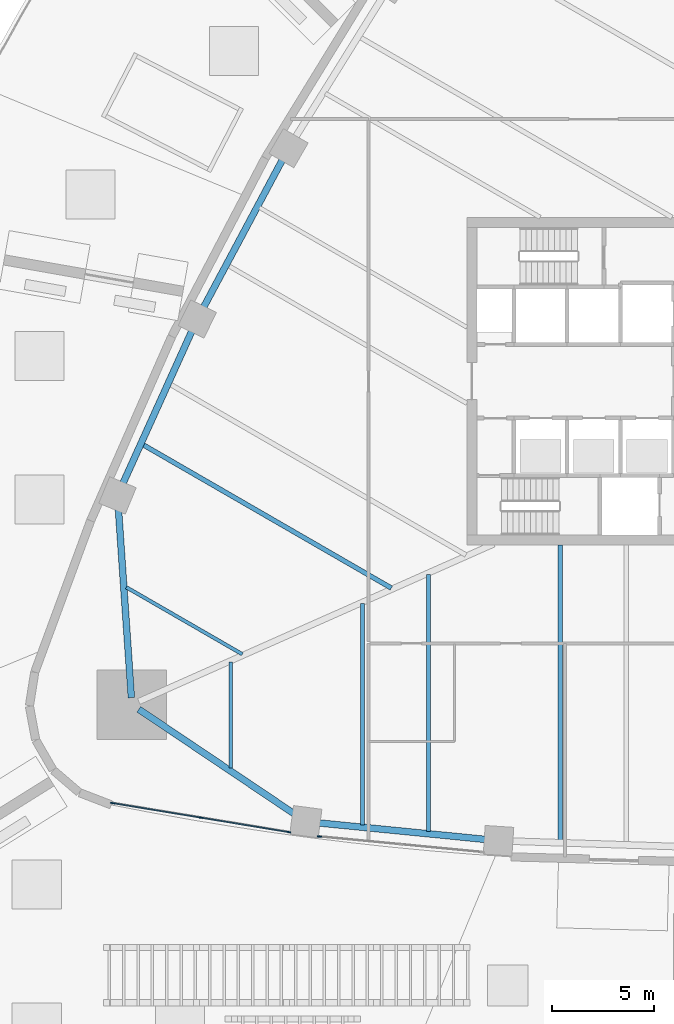
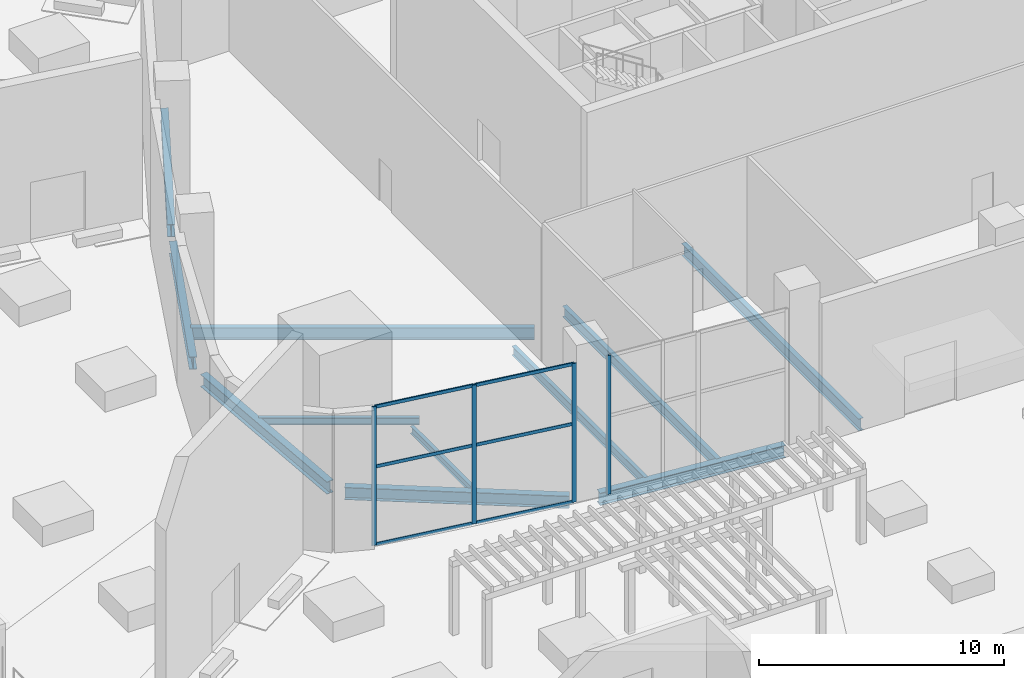
# One storey, part 3 of 20: 11 beams, 10 members, 2 elements without a shape of their own.
"""IFC4 building model written with IfcOpenShell, lengths in metres."""

from ifc_helpers import new_model, si_unit, direction, frame, origin, origin_2d, place, context, subcontext, project, spatial, rectangle, i_section, extrude, material, layer, layer_set, material_profile, profile_set, type_object, element, aggregate, save


model = new_model("IFC4")

# Units and contexts
model_context = context("Model", 3, precision=1e-05, world=origin(), true_north=direction((0.0, 1.0)))
body_context = subcontext(model_context, "Body", "Model", "MODEL_VIEW")
ifc_project = project(units=[si_unit("LENGTHUNIT", "METRE"), si_unit("AREAUNIT", "SQUARE_METRE"), si_unit("VOLUMEUNIT", "CUBIC_METRE"), si_unit("PLANEANGLEUNIT", "RADIAN"), si_unit("MASSUNIT", "GRAM", prefix="KILO")], contexts=[model_context])

# Site, building, storey
site_placement = place(None, origin())
site = spatial("IfcSite", under=ifc_project, at=site_placement, CompositionType="ELEMENT")
building_placement = place(site_placement, origin())
building = spatial("IfcBuilding", under=site, at=building_placement, Name="Sierra Prisma Convention Tower", CompositionType="ELEMENT")
storey_placement = place(building_placement, frame((0.0, 0.0, 9.0)))
storey = spatial("IfcBuildingStorey", under=building, at=storey_placement, Name="L01", CompositionType="ELEMENT", Elevation=9.0)

# Curtain wall, members
ifc_material_1 = material(Name="Aluminium, bronze anodised", Category="aluminium")
ifc_layer = layer(ifc_material_1, 0.199951171875)
ifc_layer_set = layer_set([ifc_layer], Name="CW-3 curtain wall")
curtain_wall_type = type_object("IfcCurtainWallType", Name="CW-3 curtain wall", PredefinedType="NOTDEFINED", material=ifc_layer_set)
curtain_wall_1_placement = place(storey_placement, origin())
curtain_wall_1 = element("IfcCurtainWall", 1, at=curtain_wall_1_placement, inside=storey, type_object=curtain_wall_type, Name="CW-3 curtain wall", PredefinedType="NOTDEFINED")
ifc_material_2 = material(Name="Aluminium, bronze anodised", Category="aluminium")
ifc_material_profile_1 = material_profile(ifc_material_2, rectangle(XDim=0.06005859375, YDim=0.199951171875, at=origin_2d()), Name="CW-3 mullion 60 x 200")
ifc_profile_set_1 = profile_set([ifc_material_profile_1], Name="Aluminium, bronze anodised")
member_type_1 = type_object("IfcMemberType", Name="CW-3 mullion 60 x 200", PredefinedType="MULLION", material=ifc_profile_set_1)
member_1_placement = place(storey_placement, frame((-19.6884765625, -22.019287109375, 0.0), z_axis=(0.0, 0.0, 1.0), x_axis=(-0.162541549863, -0.986701699891, 0.0)))
member_1 = element("IfcMember", 2, at=member_1_placement, type_object=member_type_1, Name="CW-3 mullion 1", PredefinedType="MULLION", context=body_context, shape_type="SweptSolid", body=[
    extrude(rectangle(XDim=0.06005859375, YDim=0.199951171875, at=origin_2d()), origin(), (0.0, 0.0, 1.0), 6.89990234375),
])
member_2_placement = place(storey_placement, frame((-23.9931640625, -21.31005859375, 0.0), z_axis=(0.0, 0.0, 1.0), x_axis=(-0.162541549863, -0.986701699891, 0.0)))
member_2 = element("IfcMember", 3, at=member_2_placement, type_object=member_type_1, Name="CW-3 mullion 2", PredefinedType="MULLION", context=body_context, shape_type="SweptSolid", body=[
    extrude(rectangle(XDim=0.06005859375, YDim=0.199951171875, at=origin_2d()), origin(), (0.0, 0.0, 1.0), 6.89990234375),
])
member_3_placement = place(storey_placement, frame((-28.2978515625, -20.60107421875, 0.0), z_axis=(0.0, 0.0, 1.0), x_axis=(-0.162541549863, -0.986701699891, 0.0)))
member_3 = element("IfcMember", 4, at=member_3_placement, type_object=member_type_1, Name="CW-3 mullion 3", PredefinedType="MULLION", context=body_context, shape_type="SweptSolid", body=[
    extrude(rectangle(XDim=0.06005859375, YDim=0.199951171875, at=origin_2d()), origin(), (0.0, 0.0, 1.0), 6.89990234375),
])

# Curtain wall, member
curtain_wall_2_placement = place(storey_placement, origin())
curtain_wall_2 = element("IfcCurtainWall", 5, at=curtain_wall_2_placement, inside=storey, type_object=curtain_wall_type, Name="CW-3 curtain wall", PredefinedType="NOTDEFINED")
member_4_placement = place(storey_placement, frame((-18.1953125, -22.23583984375, 0.0), z_axis=(0.0, 0.0, 1.0), x_axis=(-0.095074832848, -0.99547012821, 0.0)))
member_4 = element("IfcMember", 6, at=member_4_placement, type_object=member_type_1, Name="CW-3 mullion 3", PredefinedType="MULLION", context=body_context, shape_type="SweptSolid", body=[
    extrude(rectangle(XDim=0.06005859375, YDim=0.199951171875, at=origin_2d()), origin(), (0.0, 0.0, 1.0), 6.89990234375),
])
aggregate(curtain_wall_2, [member_4])

# Member
ifc_material_3 = material(Name="Aluminium, bronze anodised", Category="aluminium")
ifc_material_profile_2 = material_profile(ifc_material_3, rectangle(XDim=0.06005859375, YDim=0.159912109375, at=origin_2d()), Name="CW-3 transom 60 x 160")
ifc_profile_set_2 = profile_set([ifc_material_profile_2], Name="Aluminium, bronze anodised")
member_type_2 = type_object("IfcMemberType", Name="CW-3 transom 60 x 160", PredefinedType="USERDEFINED", material=ifc_profile_set_2)
member_5_placement = place(storey_placement, frame((-19.718017578125, -22.014404296875, 0.030029296875), z_axis=(-0.986698907001, 0.16255850308, 0.0), x_axis=(-0.16255850308, -0.986698907001, 0.0)))
member_5 = element("IfcMember", 7, at=member_5_placement, type_object=member_type_2, Name="CW-3 transom 1.1", ObjectType="TRANSOM", PredefinedType="USERDEFINED", context=body_context, shape_type="SweptSolid", body=[
    extrude(rectangle(XDim=0.06005859375, YDim=0.159912109375, at=origin_2d()), origin(), (0.0, 0.0, 1.0), 4.302734375),
])

member_6_placement = place(storey_placement, frame((-19.718017578125, -22.014404296875, 3.89990234375), z_axis=(-0.986698907001, 0.16255850308, 0.0), x_axis=(-0.16255850308, -0.986698907001, 0.0)))
member_6 = element("IfcMember", 8, at=member_6_placement, type_object=member_type_2, Name="CW-3 transom 1.2", ObjectType="TRANSOM", PredefinedType="USERDEFINED", context=body_context, shape_type="SweptSolid", body=[
    extrude(rectangle(XDim=0.06005859375, YDim=0.159912109375, at=origin_2d()), origin(), (0.0, 0.0, 1.0), 4.302734375),
])

member_7_placement = place(storey_placement, frame((-19.718017578125, -22.014404296875, 6.8701171875), z_axis=(-0.986698907001, 0.16255850308, 0.0), x_axis=(-0.16255850308, -0.986698907001, 0.0)))
member_7 = element("IfcMember", 9, at=member_7_placement, type_object=member_type_2, Name="CW-3 transom 1.3", ObjectType="TRANSOM", PredefinedType="USERDEFINED", context=body_context, shape_type="SweptSolid", body=[
    extrude(rectangle(XDim=0.06005859375, YDim=0.159912109375, at=origin_2d()), origin(), (0.0, 0.0, 1.0), 4.302734375),
])

member_8_placement = place(storey_placement, frame((-24.022705078125, -21.30517578125, 0.030029296875), z_axis=(-0.986706507859, 0.162512360602, 0.0), x_axis=(-0.162512360602, -0.986706507859, 0.0)))
member_8 = element("IfcMember", 10, at=member_8_placement, type_object=member_type_2, Name="CW-3 transom 2.1", ObjectType="TRANSOM", PredefinedType="USERDEFINED", context=body_context, shape_type="SweptSolid", body=[
    extrude(rectangle(XDim=0.06005859375, YDim=0.159912109375, at=origin_2d()), origin(), (0.0, 0.0, 1.0), 4.302490234375),
])

member_9_placement = place(storey_placement, frame((-24.022705078125, -21.30517578125, 3.89990234375), z_axis=(-0.986706507859, 0.162512360602, 0.0), x_axis=(-0.162512360602, -0.986706507859, 0.0)))
member_9 = element("IfcMember", 11, at=member_9_placement, type_object=member_type_2, Name="CW-3 transom 2.2", ObjectType="TRANSOM", PredefinedType="USERDEFINED", context=body_context, shape_type="SweptSolid", body=[
    extrude(rectangle(XDim=0.06005859375, YDim=0.159912109375, at=origin_2d()), origin(), (0.0, 0.0, 1.0), 4.302490234375),
])

member_10_placement = place(storey_placement, frame((-24.022705078125, -21.30517578125, 6.8701171875), z_axis=(-0.986706507859, 0.162512360602, 0.0), x_axis=(-0.162512360602, -0.986706507859, 0.0)))
member_10 = element("IfcMember", 12, at=member_10_placement, type_object=member_type_2, Name="CW-3 transom 2.3", ObjectType="TRANSOM", PredefinedType="USERDEFINED", context=body_context, shape_type="SweptSolid", body=[
    extrude(rectangle(XDim=0.06005859375, YDim=0.159912109375, at=origin_2d()), origin(), (0.0, 0.0, 1.0), 4.302490234375),
])

aggregate(curtain_wall_1, [member_1, member_2, member_3, member_5, member_6, member_7, member_8, member_9, member_10])

# Beams
ifc_material_4 = material(Name="Steel ASTM A992 Gr 50", Category="steel")
ifc_material_profile_3 = material_profile(ifc_material_4, i_section(OverallWidth=0.172119140625, OverallDepth=0.35791015625, WebThickness=0.0078125, FlangeThickness=0.01318359375, at=origin_2d()), Name="W360x57")
ifc_profile_set_3 = profile_set([ifc_material_profile_3], Name="Steel ASTM A992 Gr 50")
beam_type_1 = type_object("IfcBeamType", Name="Floor joist W360x57", PredefinedType="JOIST", material=ifc_profile_set_3)
beam_1_placement = place(storey_placement, frame((-22.52783203125, -18.89501953125, -0.428955078125), z_axis=(0.0, 1.0, 0.0), x_axis=(-1.0, 0.0, 0.0)))
element("IfcBeam", 13, at=beam_1_placement, inside=storey, type_object=beam_type_1, Name="Floor joist L01 S02", PredefinedType="JOIST", context=body_context, shape_type="SweptSolid", body=[
    extrude(i_section(OverallWidth=0.172119140625, OverallDepth=0.35791015625, WebThickness=0.0078125, FlangeThickness=0.01318359375, at=origin_2d()), origin(), (0.0, 0.0, 1.0), 5.177978515625),
])
beam_2_placement = place(storey_placement, frame((-27.62744140625, -10.06201171875, -0.428955078125), z_axis=(0.866022747659, -0.500004600516, 0.0), x_axis=(0.500004600516, 0.866022747659, 0.0)))
element("IfcBeam", 14, at=beam_2_placement, inside=storey, type_object=beam_type_1, Name="Floor joist L01 NW16", PredefinedType="JOIST", context=body_context, shape_type="SweptSolid", body=[
    extrude(i_section(OverallWidth=0.172119140625, OverallDepth=0.35791015625, WebThickness=0.0078125, FlangeThickness=0.01318359375, at=origin_2d()), origin(), (0.0, 0.0, 1.0), 6.54150390625),
])
ifc_material_5 = material(Name="Steel ASTM A992 Gr 50", Category="steel")
ifc_material_profile_4 = material_profile(ifc_material_5, i_section(OverallWidth=0.18994140625, OverallDepth=0.45703125, WebThickness=0.009033203125, FlangeThickness=0.014404296875, at=origin_2d()), Name="W460x74")
ifc_profile_set_4 = profile_set([ifc_material_profile_4], Name="Steel ASTM A992 Gr 50")
beam_type_2 = type_object("IfcBeamType", Name="Floor joist W460x74", PredefinedType="JOIST", material=ifc_profile_set_4)
beam_3_placement = place(storey_placement, frame((-16.09130859375, -21.6689453125, -0.478515625), z_axis=(0.0, 1.0, 0.0), x_axis=(-1.0, 0.0, 0.0)))
element("IfcBeam", 15, at=beam_3_placement, inside=storey, type_object=beam_type_2, Name="Floor joist L01 S04", PredefinedType="JOIST", context=body_context, shape_type="SweptSolid", body=[
    extrude(i_section(OverallWidth=0.18994140625, OverallDepth=0.45703125, WebThickness=0.009033203125, FlangeThickness=0.014404296875, at=origin_2d()), origin(), (0.0, 0.0, 1.0), 10.8095703125),
])
ifc_material_6 = material(Name="Steel ASTM A992 Gr 50", Category="steel")
ifc_material_profile_5 = material_profile(ifc_material_6, i_section(OverallWidth=0.208984375, OverallDepth=0.532958984375, WebThickness=0.01025390625, FlangeThickness=0.015625, at=origin_2d()), Name="W530x92")
ifc_profile_set_5 = profile_set([ifc_material_profile_5], Name="Steel ASTM A992 Gr 50")
beam_type_3 = type_object("IfcBeamType", Name="Floor joist W530x92", PredefinedType="JOIST", material=ifc_profile_set_5)
beam_4_placement = place(storey_placement, frame((-12.873046875, -21.9873046875, -0.5166015625), z_axis=(0.0, 1.0, 0.0), x_axis=(-1.0, 0.0, 0.0)))
element("IfcBeam", 16, at=beam_4_placement, inside=storey, type_object=beam_type_3, Name="Floor joist L01 S05", PredefinedType="JOIST", context=body_context, shape_type="SweptSolid", body=[
    extrude(i_section(OverallWidth=0.208984375, OverallDepth=0.532958984375, WebThickness=0.01025390625, FlangeThickness=0.015625, at=origin_2d()), origin(), (0.0, 0.0, 1.0), 12.556640625),
])
ifc_material_7 = material(Name="Steel ASTM A992 Gr 50", Category="steel")
ifc_material_profile_6 = material_profile(ifc_material_7, i_section(OverallWidth=0.22802734375, OverallDepth=0.60302734375, WebThickness=0.010498046875, FlangeThickness=0.014892578125, at=origin_2d()), Name="W610x101")
ifc_profile_set_6 = profile_set([ifc_material_profile_6], Name="Steel ASTM A992 Gr 50")
beam_type_4 = type_object("IfcBeamType", Name="Floor joist W610x101", PredefinedType="JOIST", material=ifc_profile_set_6)
beam_5_placement = place(storey_placement, frame((-6.4365234375, -22.42578125, -0.551513671875), z_axis=(0.0, 1.0, 0.0), x_axis=(-1.0, 0.0, 0.0)))
element("IfcBeam", 17, at=beam_5_placement, inside=storey, type_object=beam_type_4, Name="Floor joist L01 S07", PredefinedType="JOIST", context=body_context, shape_type="SweptSolid", body=[
    extrude(i_section(OverallWidth=0.22802734375, OverallDepth=0.60302734375, WebThickness=0.010498046875, FlangeThickness=0.014892578125, at=origin_2d()), origin(), (0.0, 0.0, 1.0), 14.42578125),
])
beam_6_placement = place(storey_placement, frame((-26.8115234375, -3.10107421875, -0.551513671875), z_axis=(0.866032862007, -0.499987081758, 0.0), x_axis=(0.499987081758, 0.866032862007, 0.0)))
element("IfcBeam", 18, at=beam_6_placement, inside=storey, type_object=beam_type_4, Name="Floor joist L01 NW14", PredefinedType="JOIST", context=body_context, shape_type="SweptSolid", body=[
    extrude(i_section(OverallWidth=0.22802734375, OverallDepth=0.60302734375, WebThickness=0.010498046875, FlangeThickness=0.014892578125, at=origin_2d()), origin(), (0.0, 0.0, 1.0), 14.002197265625),
])
ifc_material_8 = material(Name="Steel ASTM A992 Gr 50", Category="steel")
ifc_material_profile_7 = material_profile(ifc_material_8, i_section(OverallWidth=0.324951171875, OverallDepth=0.615966796875, WebThickness=0.013916015625, FlangeThickness=0.021484375, at=origin_2d()), Name="W610x174")
ifc_profile_set_7 = profile_set([ifc_material_profile_7], Name="Steel ASTM A992 Gr 50")
beam_type_5 = type_object("IfcBeamType", Name="Spandrel beam W610x174", PredefinedType="BEAM", material=ifc_profile_set_7)
beam_7_placement = place(storey_placement, frame((-27.01513671875, -16.022216796875, -0.55810546875), z_axis=(0.829740498665, -0.558149357139, 0.0), x_axis=(0.558149357139, 0.829740498665, 0.0)))
element("IfcBeam", 19, at=beam_7_placement, inside=storey, type_object=beam_type_5, Name="Spandrel L01-01", PredefinedType="BEAM", context=body_context, shape_type="SweptSolid", body=[
    extrude(i_section(OverallWidth=0.324951171875, OverallDepth=0.615966796875, WebThickness=0.013916015625, FlangeThickness=0.021484375, at=origin_2d()), origin(), (0.0, 0.0, 1.0), 9.167236328125),
])
for number, where, z_axis, x_axis, name in (
    (20, (-18.2822265625, -21.5654296875, -0.55810546875), (0.99514126278, -0.098457438079, 0.0), (0.098457438079, 0.99514126278, 0.0), "Spandrel L01-02"),
    (21, (-19.9755859375, 10.863037109375, -0.55810546875), (-0.471267929576, -0.881990101165, 0.0), (0.881990101165, -0.471267929576, 0.0), "Spandrel L01-16"),
):
    element("IfcBeam", number, at=place(storey_placement, frame(where, z_axis=z_axis, x_axis=x_axis)), inside=storey, type_object=beam_type_5, Name=name, PredefinedType="BEAM", context=body_context, shape_type="SweptSolid", body=[
        extrude(i_section(OverallWidth=0.324951171875, OverallDepth=0.615966796875, WebThickness=0.013916015625, FlangeThickness=0.021484375, at=origin_2d()), origin(), (0.0, 0.0, 1.0), 8.29443359375),
    ])
beam_8_placement = place(storey_placement, frame((-24.3974609375, 2.506591796875, -0.55810546875), z_axis=(-0.41230108384, -0.911047647637, 0.0), x_axis=(0.911047647637, -0.41230108384, 0.0)))
element("IfcBeam", 22, at=beam_8_placement, inside=storey, type_object=beam_type_5, Name="Spandrel L01-17", PredefinedType="BEAM", context=body_context, shape_type="SweptSolid", body=[
    extrude(i_section(OverallWidth=0.324951171875, OverallDepth=0.615966796875, WebThickness=0.013916015625, FlangeThickness=0.021484375, at=origin_2d()), origin(), (0.0, 0.0, 1.0), 8.294677734375),
])
beam_9_placement = place(storey_placement, frame((-28.01123046875, -6.239013671875, -0.55810546875), z_axis=(0.06851541914, -0.997650057555, 0.0), x_axis=(0.997650057555, 0.06851541914, 0.0)))
element("IfcBeam", 23, at=beam_9_placement, inside=storey, type_object=beam_type_5, Name="Spandrel L01-18", PredefinedType="BEAM", context=body_context, shape_type="SweptSolid", body=[
    extrude(i_section(OverallWidth=0.324951171875, OverallDepth=0.615966796875, WebThickness=0.013916015625, FlangeThickness=0.021484375, at=origin_2d()), origin(), (0.0, 0.0, 1.0), 9.236083984375),
])

save(model, "model.ifc")
